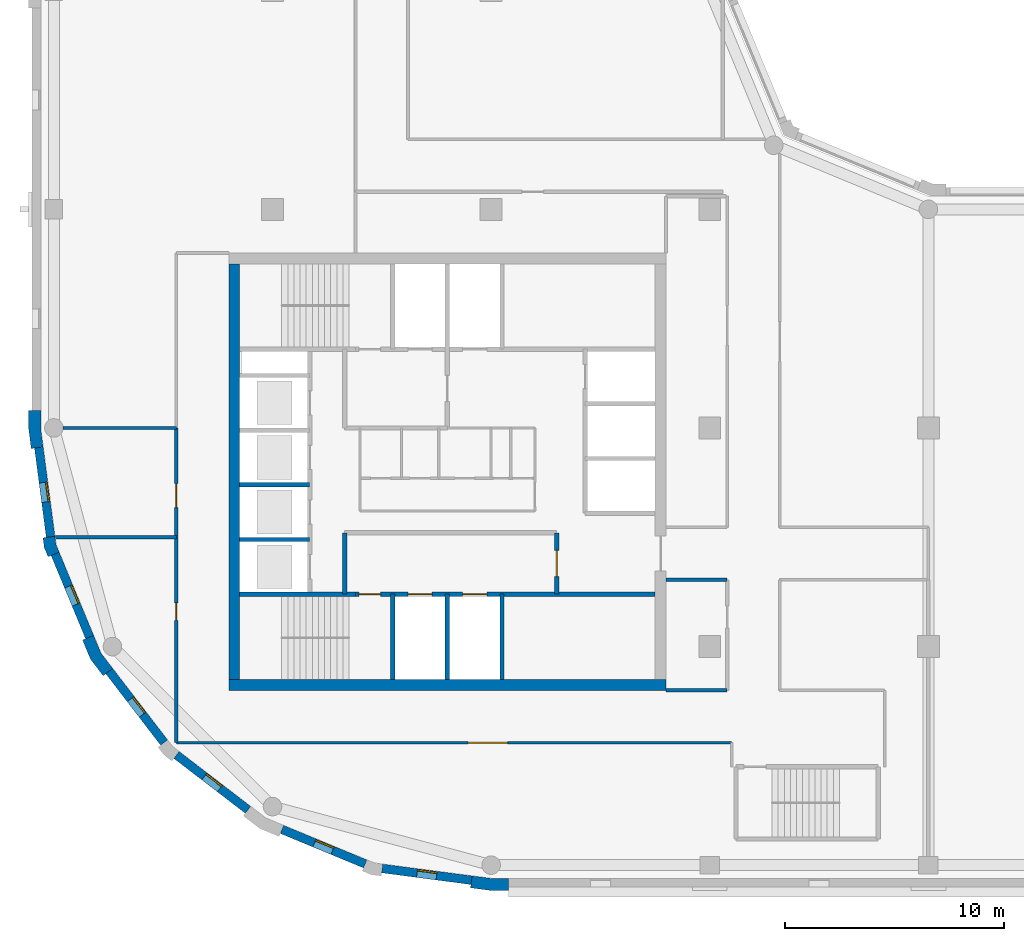
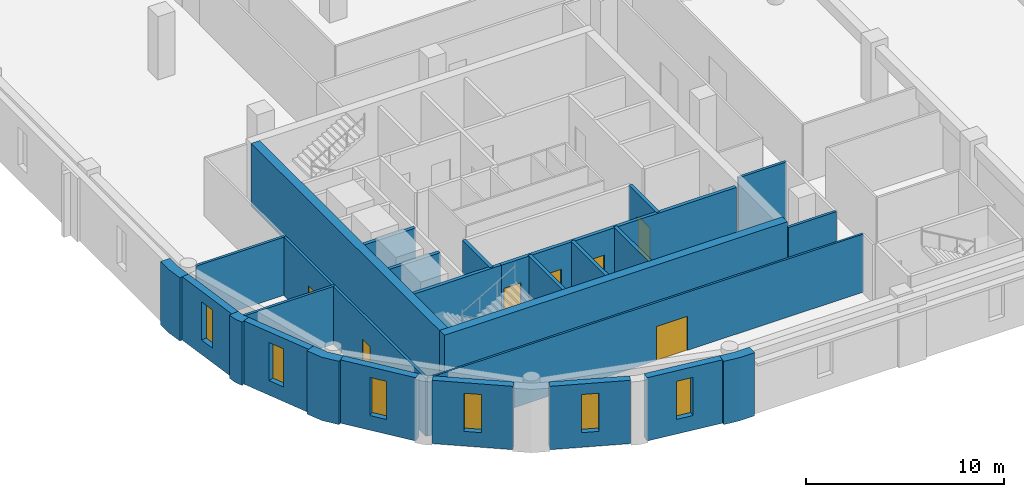
# One storey, part 2 of 8: 27 walls, 7 doors, 6 windows, 13 openings.
"""IFC4 building model written with IfcOpenShell, lengths in metres."""

from ifc_helpers import new_model, si_unit, direction, frame, frame_2d, origin, place, context, subcontext, project, spatial, polyline, rectangle, outline, extrude, material, layer, layer_set, type_object, element, fill, save


model = new_model("IFC4")

# Units and contexts
model_context = context("Model", 3, precision=1e-05, world=origin(), true_north=direction((0.0, 1.0)))
body_context = subcontext(model_context, "Body", "Model", "MODEL_VIEW")
ifc_project = project(units=[si_unit("LENGTHUNIT", "METRE"), si_unit("AREAUNIT", "SQUARE_METRE"), si_unit("VOLUMEUNIT", "CUBIC_METRE"), si_unit("PLANEANGLEUNIT", "RADIAN"), si_unit("MASSUNIT", "GRAM", prefix="KILO")], contexts=[model_context])

# Site, building, storey
site_placement = place(None, origin())
site = spatial("IfcSite", under=ifc_project, at=site_placement, CompositionType="ELEMENT")
building_placement = place(site_placement, origin())
building = spatial("IfcBuilding", under=site, at=building_placement, Name="Qaws Garden Tower", CompositionType="ELEMENT")
storey_placement = place(building_placement, frame((0.0, 0.0, 274.800048828125)))
storey = spatial("IfcBuildingStorey", under=building, at=storey_placement, Name="L66", CompositionType="ELEMENT", Elevation=274.800048828125)

# Wall, opening, window
ifc_material_1 = material(Name="Buff clay facing brick masonry", Category="masonry")
ifc_layer_1 = layer(ifc_material_1, 0.39990234375)
ifc_layer_set_1 = layer_set([ifc_layer_1], Name="Buff clay facing brick masonry")
wall_type_1 = type_object("IfcWallType", Name="Buff brick infill wall 400", PredefinedType="SOLIDWALL", material=ifc_layer_set_1)
wall_1_placement = place(storey_placement, frame((-0.688720703125, 19.102294921875, 0.0), z_axis=(0.0, 0.0, 1.0), x_axis=(0.130514280502, -0.991446429508, 0.0)))
wall_1 = element("IfcWall", 1, at=wall_1_placement, inside=storey, type_object=wall_type_1, Name="E-L66-infill-23", PredefinedType="SOLIDWALL", context=body_context, shape_type="SweptSolid", body=[
    extrude(rectangle(XDim=4.120849609375, YDim=0.39990234375, at=frame_2d((2.060546875, 0.0))), origin(), (0.0, 0.0, 1.0), 3.89990234375),
])
opening_1_placement = place(wall_1_placement, frame((1.610595703125, 0.0, 0.89990234375)))
opening_1 = element("IfcOpeningElement", 2, at=opening_1_placement, cuts=wall_1, Name="Opening W09", PredefinedType="OPENING", context=body_context, shape_type="SweptSolid", body=[
    extrude(rectangle(XDim=0.89990234375, YDim=2.35009765625, at=frame_2d((0.449951171875, 1.175048828125))), frame((0.0, 0.2099609375, 0.0), z_axis=(0.0, -1.0, 0.0), x_axis=(1.0, 0.0, 0.0)), (0.0, 0.0, 1.0), 0.419921875),
])
ifc_material_2 = material(Name="Aluminium framed window, clear glazing", Category="aluminium")
window_type = type_object("IfcWindowType", Name="Slit window 900 x 2350", PartitioningType="SINGLE_PANEL", PredefinedType="WINDOW", material=ifc_material_2)
window_1_placement = place(opening_1_placement, origin())
window_1 = element("IfcWindow", 3, at=window_1_placement, inside=storey, type_object=window_type, Name="E-L66-window-23-0", OverallHeight=2.35009765625, OverallWidth=0.89990234375, PartitioningType="SINGLE_PANEL", PredefinedType="WINDOW", context=body_context, shape_type="SweptSolid", body=[
    extrude(rectangle(XDim=0.89990234375, YDim=2.35009765625, at=frame_2d((0.449951171875, 1.175048828125))), frame((0.0, 0.159912109375, 0.0), z_axis=(0.0, -1.0, 0.0), x_axis=(1.0, 0.0, 0.0)), (0.0, 0.0, 1.0), 0.06005859375),
])
fill(opening_1, window_1)

wall_2_placement = place(storey_placement, frame((0.05712890625, 14.240234375, 0.0), z_axis=(0.0, 0.0, 1.0), x_axis=(0.382721546029, -0.923863744394, 0.0)))
wall_2 = element("IfcWall", 4, at=wall_2_placement, inside=storey, type_object=wall_type_1, Name="E-L66-infill-24", PredefinedType="SOLIDWALL", context=body_context, shape_type="SweptSolid", body=[
    extrude(rectangle(XDim=4.120849609375, YDim=0.39990234375, at=frame_2d((2.060546875, 0.0))), origin(), (0.0, 0.0, 1.0), 3.89990234375),
])
opening_2_placement = place(wall_2_placement, frame((1.610595703125, 0.0, 0.89990234375)))
opening_2 = element("IfcOpeningElement", 5, at=opening_2_placement, cuts=wall_2, Name="Opening W09", PredefinedType="OPENING", context=body_context, shape_type="SweptSolid", body=[
    extrude(rectangle(XDim=0.89990234375, YDim=2.35009765625, at=frame_2d((0.449951171875, 1.175048828125))), frame((0.0, 0.2099609375, 0.0), z_axis=(0.0, -1.0, 0.0), x_axis=(1.0, 0.0, 0.0)), (0.0, 0.0, 1.0), 0.419921875),
])
window_2_placement = place(opening_2_placement, origin())
window_2 = element("IfcWindow", 6, at=window_2_placement, inside=storey, type_object=window_type, Name="E-L66-window-24-0", OverallHeight=2.35009765625, OverallWidth=0.89990234375, PartitioningType="SINGLE_PANEL", PredefinedType="WINDOW", context=body_context, shape_type="SweptSolid", body=[
    extrude(rectangle(XDim=0.89990234375, YDim=2.35009765625, at=frame_2d((0.449951171875, 1.175048828125))), frame((0.0, 0.159912109375, 0.0), z_axis=(0.0, -1.0, 0.0), x_axis=(1.0, 0.0, 0.0)), (0.0, 0.0, 1.0), 0.06005859375),
])
fill(opening_2, window_2)

wall_3_placement = place(storey_placement, frame((2.53173828125, 8.87841796875, 0.0), z_axis=(0.0, 0.0, 1.0), x_axis=(0.608759824817, -0.793354571229, 0.0)))
wall_3 = element("IfcWall", 7, at=wall_3_placement, inside=storey, type_object=wall_type_1, Name="E-L66-infill-25", PredefinedType="SOLIDWALL", context=body_context, shape_type="SweptSolid", body=[
    extrude(rectangle(XDim=4.12109375, YDim=0.39990234375, at=frame_2d((2.060546875, 0.0))), origin(), (0.0, 0.0, 1.0), 3.89990234375),
])
opening_3_placement = place(wall_3_placement, frame((1.610595703125, 0.0, 0.89990234375)))
opening_3 = element("IfcOpeningElement", 8, at=opening_3_placement, cuts=wall_3, Name="Opening W09", PredefinedType="OPENING", context=body_context, shape_type="SweptSolid", body=[
    extrude(rectangle(XDim=0.89990234375, YDim=2.35009765625, at=frame_2d((0.449951171875, 1.175048828125))), frame((0.0, 0.2099609375, 0.0), z_axis=(0.0, -1.0, 0.0), x_axis=(1.0, 0.0, 0.0)), (0.0, 0.0, 1.0), 0.419921875),
])
window_3_placement = place(opening_3_placement, origin())
window_3 = element("IfcWindow", 9, at=window_3_placement, inside=storey, type_object=window_type, Name="E-L66-window-25-0", OverallHeight=2.35009765625, OverallWidth=0.89990234375, PartitioningType="SINGLE_PANEL", PredefinedType="WINDOW", context=body_context, shape_type="SweptSolid", body=[
    extrude(rectangle(XDim=0.89990234375, YDim=2.35009765625, at=frame_2d((0.449951171875, 1.175048828125))), frame((0.0, 0.159912109375, 0.0), z_axis=(0.0, -1.0, 0.0), x_axis=(1.0, 0.0, 0.0)), (0.0, 0.0, 1.0), 0.06005859375),
])
fill(opening_3, window_3)

wall_4_placement = place(storey_placement, frame((5.60888671875, 5.04052734375, 0.0), z_axis=(0.0, 0.0, 1.0), x_axis=(0.793354571229, -0.608759824817, 0.0)))
wall_4 = element("IfcWall", 10, at=wall_4_placement, inside=storey, type_object=wall_type_1, Name="E-L66-infill-26", PredefinedType="SOLIDWALL", context=body_context, shape_type="SweptSolid", body=[
    extrude(rectangle(XDim=4.12109375, YDim=0.39990234375, at=frame_2d((2.060546875, 0.0))), origin(), (0.0, 0.0, 1.0), 3.89990234375),
])
opening_4_placement = place(wall_4_placement, frame((1.610595703125, 0.0, 0.89990234375)))
opening_4 = element("IfcOpeningElement", 11, at=opening_4_placement, cuts=wall_4, Name="Opening W09", PredefinedType="OPENING", context=body_context, shape_type="SweptSolid", body=[
    extrude(rectangle(XDim=0.89990234375, YDim=2.35009765625, at=frame_2d((0.449951171875, 1.175048828125))), frame((0.0, 0.2099609375, 0.0), z_axis=(0.0, -1.0, 0.0), x_axis=(1.0, 0.0, 0.0)), (0.0, 0.0, 1.0), 0.419921875),
])
window_4_placement = place(opening_4_placement, origin())
window_4 = element("IfcWindow", 12, at=window_4_placement, inside=storey, type_object=window_type, Name="E-L66-window-26-0", OverallHeight=2.35009765625, OverallWidth=0.89990234375, PartitioningType="SINGLE_PANEL", PredefinedType="WINDOW", context=body_context, shape_type="SweptSolid", body=[
    extrude(rectangle(XDim=0.89990234375, YDim=2.35009765625, at=frame_2d((0.449951171875, 1.175048828125))), frame((0.0, 0.159912109375, 0.0), z_axis=(0.0, -1.0, 0.0), x_axis=(1.0, 0.0, 0.0)), (0.0, 0.0, 1.0), 0.06005859375),
])
fill(opening_4, window_4)

wall_5_placement = place(storey_placement, frame((10.43310546875, 1.63427734375, 0.0), z_axis=(0.0, 0.0, 1.0), x_axis=(0.923863744394, -0.382721546029, 0.0)))
wall_5 = element("IfcWall", 13, at=wall_5_placement, inside=storey, type_object=wall_type_1, Name="E-L66-infill-27", PredefinedType="SOLIDWALL", context=body_context, shape_type="SweptSolid", body=[
    extrude(rectangle(XDim=4.120849609375, YDim=0.39990234375, at=frame_2d((2.060546875, 0.0))), origin(), (0.0, 0.0, 1.0), 3.89990234375),
])
opening_5_placement = place(wall_5_placement, frame((1.610595703125, 0.0, 0.89990234375)))
opening_5 = element("IfcOpeningElement", 14, at=opening_5_placement, cuts=wall_5, Name="Opening W09", PredefinedType="OPENING", context=body_context, shape_type="SweptSolid", body=[
    extrude(rectangle(XDim=0.89990234375, YDim=2.35009765625, at=frame_2d((0.449951171875, 1.175048828125))), frame((0.0, 0.2099609375, 0.0), z_axis=(0.0, -1.0, 0.0), x_axis=(1.0, 0.0, 0.0)), (0.0, 0.0, 1.0), 0.419921875),
])
window_5_placement = place(opening_5_placement, origin())
window_5 = element("IfcWindow", 15, at=window_5_placement, inside=storey, type_object=window_type, Name="E-L66-window-27-0", OverallHeight=2.35009765625, OverallWidth=0.89990234375, PartitioningType="SINGLE_PANEL", PredefinedType="WINDOW", context=body_context, shape_type="SweptSolid", body=[
    extrude(rectangle(XDim=0.89990234375, YDim=2.35009765625, at=frame_2d((0.449951171875, 1.175048828125))), frame((0.0, 0.159912109375, 0.0), z_axis=(0.0, -1.0, 0.0), x_axis=(1.0, 0.0, 0.0)), (0.0, 0.0, 1.0), 0.06005859375),
])
fill(opening_5, window_5)

wall_6_placement = place(storey_placement, frame((15.0166015625, -0.15087890625, 0.0), z_axis=(0.0, 0.0, 1.0), x_axis=(0.991446429508, -0.130514280502, 0.0)))
wall_6 = element("IfcWall", 16, at=wall_6_placement, inside=storey, type_object=wall_type_1, Name="E-L66-infill-28", PredefinedType="SOLIDWALL", context=body_context, shape_type="SweptSolid", body=[
    extrude(rectangle(XDim=4.120849609375, YDim=0.39990234375, at=frame_2d((2.060546875, 0.0))), origin(), (0.0, 0.0, 1.0), 3.89990234375),
])
opening_6_placement = place(wall_6_placement, frame((1.610595703125, 0.0, 0.89990234375)))
opening_6 = element("IfcOpeningElement", 17, at=opening_6_placement, cuts=wall_6, Name="Opening W09", PredefinedType="OPENING", context=body_context, shape_type="SweptSolid", body=[
    extrude(rectangle(XDim=0.89990234375, YDim=2.35009765625, at=frame_2d((0.449951171875, 1.175048828125))), frame((0.0, 0.2099609375, 0.0), z_axis=(0.0, -1.0, 0.0), x_axis=(1.0, 0.0, 0.0)), (0.0, 0.0, 1.0), 0.419921875),
])
window_6_placement = place(opening_6_placement, origin())
window_6 = element("IfcWindow", 18, at=window_6_placement, inside=storey, type_object=window_type, Name="E-L66-window-28-0", OverallHeight=2.35009765625, OverallWidth=0.89990234375, PartitioningType="SINGLE_PANEL", PredefinedType="WINDOW", context=body_context, shape_type="SweptSolid", body=[
    extrude(rectangle(XDim=0.89990234375, YDim=2.35009765625, at=frame_2d((0.449951171875, 1.175048828125))), frame((0.0, 0.159912109375, 0.0), z_axis=(0.0, -1.0, 0.0), x_axis=(1.0, 0.0, 0.0)), (0.0, 0.0, 1.0), 0.06005859375),
])
fill(opening_6, window_6)

# Walls
ifc_material_3 = material(Name="Buff clay facing brick masonry", Category="masonry")
ifc_layer_2 = layer(ifc_material_3, 0.550048828125)
ifc_layer_set_2 = layer_set([ifc_layer_2], Name="Buff clay facing brick masonry")
wall_type_2 = type_object("IfcWallType", Name="Buff brick kink pier 550 x 600", PredefinedType="SOLIDWALL", material=ifc_layer_set_2)
placement = place(storey_placement, origin())
element("IfcWall", 19, at=placement, inside=storey, type_object=wall_type_2, Name="E-L66-pier-24", PredefinedType="SOLIDWALL", context=body_context, shape_type="SweptSolid", body=[
    extrude(outline(polyline([(-0.34912109375, 14.990478515625), (-0.497802734375, 14.970947265625), (-0.43896484375, 14.5234375), (-0.26611328125, 14.1064453125), (-0.127685546875, 14.163818359375), (0.241943359375, 14.31689453125), (0.096923828125, 14.6669921875), (0.04736328125, 15.042724609375), (-0.34912109375, 14.990478515625)])), origin(), (0.0, 0.0, 1.0), 3.89990234375),
])
ifc_material_4 = material(Name="Buff clay facing brick masonry", Category="masonry")
ifc_layer_3 = layer(ifc_material_4, 0.550048828125)
ifc_layer_set_3 = layer_set([ifc_layer_3], Name="Buff clay facing brick masonry")
wall_type_3 = type_object("IfcWallType", Name="Buff brick pier 550 x 1600", PredefinedType="SOLIDWALL", material=ifc_layer_set_3)
element("IfcWall", 20, at=placement, inside=storey, type_object=wall_type_3, Name="E-L66-pier-00", PredefinedType="SOLIDWALL", context=body_context, shape_type="SweptSolid", body=[
    extrude(outline(polyline([(19.076416015625, -0.886962890625), (19.056640625, -1.03564453125), (19.924560546875, -1.14990234375), (20.800048828125, -1.14990234375), (20.800048828125, -1.0), (20.800048828125, -0.60009765625), (19.960693359375, -0.60009765625), (19.12841796875, -0.490478515625), (19.076416015625, -0.886962890625)])), origin(), (0.0, 0.0, 1.0), 3.89990234375),
])
element("IfcWall", 21, at=placement, inside=storey, type_object=wall_type_3, Name="E-L66-pier-23", PredefinedType="SOLIDWALL", context=body_context, shape_type="SweptSolid", body=[
    extrude(outline(polyline([(-1.0, 20.800048828125), (-1.14990234375, 20.800048828125), (-1.14990234375, 19.924560546875), (-1.03564453125, 19.056640625), (-0.886962890625, 19.076416015625), (-0.490478515625, 19.12841796875), (-0.60009765625, 19.960693359375), (-0.60009765625, 20.800048828125), (-1.0, 20.800048828125)])), origin(), (0.0, 0.0, 1.0), 3.89990234375),
])
element("IfcWall", 22, at=placement, inside=storey, type_object=wall_type_3, Name="E-L66-pier-25", PredefinedType="SOLIDWALL", context=body_context, shape_type="SweptSolid", body=[
    extrude(outline(polyline([(1.449462890625, 10.3564453125), (1.310791015625, 10.299072265625), (1.675048828125, 9.419921875), (2.254150390625, 8.665283203125), (2.373046875, 8.756591796875), (2.6904296875, 9.0), (2.1552734375, 9.697509765625), (1.819091796875, 10.509521484375), (1.449462890625, 10.3564453125)])), origin(), (0.0, 0.0, 1.0), 3.89990234375),
])
ifc_material_5 = material(Name="Concrete C60", Category="concrete")
ifc_layer_4 = layer(ifc_material_5, 0.199951171875)
ifc_layer_set_4 = layer_set([ifc_layer_4], Name="Concrete C60")
wall_type_4 = type_object("IfcWallType", Name="Core shaft wall 200 C60", PredefinedType="SHEAR", material=ifc_layer_set_4)
wall_11_placement = place(storey_placement, frame((8.5, 12.39990234375, 0.0), z_axis=(0.0, 0.0, 1.0), x_axis=(1.0, 0.0, 0.0)))
element("IfcWall", 23, at=wall_11_placement, inside=storey, type_object=wall_type_4, Name="Shaft wall", PredefinedType="SHEAR", context=body_context, shape_type="SweptSolid", body=[
    extrude(rectangle(XDim=5.300048828125, YDim=0.199951171875, at=frame_2d((2.64990234375, 0.0))), origin(), (0.0, 0.0, 1.0), 3.579833984375),
])

# Wall, openings, doors
wall_12_placement = place(storey_placement, frame((13.800048828125, 12.39990234375, 0.0), z_axis=(0.0, 0.0, 1.0), x_axis=(1.0, 0.0, 0.0)))
wall_12 = element("IfcWall", 24, at=wall_12_placement, inside=storey, type_object=wall_type_4, Name="Shaft wall", PredefinedType="SHEAR", context=body_context, shape_type="SweptSolid", body=[
    extrude(rectangle(XDim=13.699951171875, YDim=0.199951171875, at=frame_2d((6.85009765625, 0.0))), origin(), (0.0, 0.0, 1.0), 3.579833984375),
])
opening_7_placement = place(wall_12_placement, frame((2.39990234375, 0.0, 0.0)))
opening_7 = element("IfcOpeningElement", 25, at=opening_7_placement, cuts=wall_12, Name="Opening LD06", PredefinedType="OPENING", context=body_context, shape_type="SweptSolid", body=[
    extrude(rectangle(XDim=1.10009765625, YDim=2.10009765625, at=frame_2d((0.550048828125, 1.050048828125))), frame((0.0, 0.10986328125, 0.0), z_axis=(0.0, -1.0, 0.0), x_axis=(1.0, 0.0, 0.0)), (0.0, 0.0, 1.0), 0.219970703125),
])
opening_8_placement = place(wall_12_placement, frame((4.89990234375, 0.0, 0.0)))
opening_8 = element("IfcOpeningElement", 26, at=opening_8_placement, cuts=wall_12, Name="Opening LD07", PredefinedType="OPENING", context=body_context, shape_type="SweptSolid", body=[
    extrude(rectangle(XDim=1.10009765625, YDim=2.10009765625, at=frame_2d((0.550048828125, 1.050048828125))), frame((0.0, 0.10986328125, 0.0), z_axis=(0.0, -1.0, 0.0), x_axis=(1.0, 0.0, 0.0)), (0.0, 0.0, 1.0), 0.219970703125),
])
opening_9_placement = place(wall_12_placement, frame((0.14990234375, 0.0, 0.0)))
opening_9 = element("IfcOpeningElement", 27, at=opening_9_placement, cuts=wall_12, Name="Opening SD10", PredefinedType="OPENING", context=body_context, shape_type="SweptSolid", body=[
    extrude(rectangle(XDim=1.0, YDim=2.10009765625, at=frame_2d((0.5, 1.050048828125))), frame((0.0, 0.10986328125, 0.0), z_axis=(0.0, -1.0, 0.0), x_axis=(1.0, 0.0, 0.0)), (0.0, 0.0, 1.0), 0.219970703125),
])
ifc_material_6 = material(Name="Steel S235", Category="steel")
door_type_1 = type_object("IfcDoorType", Name="Landing door 1100x2100", OperationType="DOUBLE_DOOR_SLIDING", PredefinedType="DOOR", material=ifc_material_6)
door_1_placement = place(opening_7_placement, origin())
door_1 = element("IfcDoor", 28, at=door_1_placement, inside=storey, type_object=door_type_1, Name="Lift FF1 landing door", OperationType="DOUBLE_DOOR_SLIDING", OverallHeight=2.10009765625, OverallWidth=1.10009765625, PredefinedType="DOOR", context=body_context, shape_type="SweptSolid", body=[
    extrude(rectangle(XDim=1.10009765625, YDim=2.10009765625, at=frame_2d((0.550048828125, 1.050048828125))), frame((0.0, 0.02490234375, 0.0), z_axis=(0.0, -1.0, 0.0), x_axis=(1.0, 0.0, 0.0)), (0.0, 0.0, 1.0), 0.050048828125),
])
fill(opening_7, door_1)
door_2_placement = place(opening_8_placement, origin())
door_2 = element("IfcDoor", 29, at=door_2_placement, inside=storey, type_object=door_type_1, Name="Lift FF2 landing door", OperationType="DOUBLE_DOOR_SLIDING", OverallHeight=2.10009765625, OverallWidth=1.10009765625, PredefinedType="DOOR", context=body_context, shape_type="SweptSolid", body=[
    extrude(rectangle(XDim=1.10009765625, YDim=2.10009765625, at=frame_2d((0.550048828125, 1.050048828125))), frame((0.0, 0.02490234375, 0.0), z_axis=(0.0, -1.0, 0.0), x_axis=(1.0, 0.0, 0.0)), (0.0, 0.0, 1.0), 0.050048828125),
])
fill(opening_8, door_2)
ifc_material_7 = material(Name="Steel S235", Category="steel")
door_type_2 = type_object("IfcDoorType", Name="Stair door 1000x2100", OperationType="SINGLE_SWING_RIGHT", PredefinedType="DOOR", material=ifc_material_7)
door_3_placement = place(opening_9_placement, frame((1.0, 0.0, 0.0), z_axis=(0.0, 0.0, 1.0), x_axis=(-1.0, 0.0, 0.0)))
door_3 = element("IfcDoor", 30, at=door_3_placement, inside=storey, type_object=door_type_2, Name="Stair 1 door", OperationType="SINGLE_SWING_LEFT", OverallHeight=2.10009765625, OverallWidth=1.0, PredefinedType="DOOR", context=body_context, shape_type="SweptSolid", body=[
    extrude(rectangle(XDim=1.0, YDim=2.10009765625, at=frame_2d((0.5, 1.050048828125))), frame((0.0, 0.02490234375, 0.0), z_axis=(0.0, -1.0, 0.0), x_axis=(1.0, 0.0, 0.0)), (0.0, 0.0, 1.0), 0.050048828125),
])
fill(opening_9, door_3)

# Walls
for number, where, z_axis, x_axis, name in (
    (31, (8.5, 14.89990234375, 0.0), (0.0, 0.0, 1.0), (1.0, 0.0, 0.0), "Shaft wall"),
    (32, (8.5, 17.39990234375, 0.0), (0.0, 0.0, 1.0), (1.0, 0.0, 0.0), "Shaft wall"),
):
    element("IfcWall", number, at=place(storey_placement, frame(where, z_axis=z_axis, x_axis=x_axis)), inside=storey, type_object=wall_type_4, Name=name, PredefinedType="SHEAR", context=body_context, shape_type="SweptSolid", body=[
        extrude(rectangle(XDim=3.199951171875, YDim=0.199951171875, at=frame_2d((1.60009765625, 0.0))), origin(), (0.0, 0.0, 1.0), 3.579833984375),
    ])
wall_13_placement = place(storey_placement, frame((13.300048828125, 12.39990234375, 0.0), z_axis=(0.0, 0.0, 1.0), x_axis=(0.0, 1.0, 0.0)))
element("IfcWall", 33, at=wall_13_placement, inside=storey, type_object=wall_type_4, Name="Shaft wall", PredefinedType="SHEAR", context=body_context, shape_type="SweptSolid", body=[
    extrude(rectangle(XDim=2.800048828125, YDim=0.199951171875, at=frame_2d((1.39990234375, 0.0))), origin(), (0.0, 0.0, 1.0), 3.579833984375),
])
for number, where, z_axis, x_axis, name in (
    (34, (15.5, 8.5, 0.0), (0.0, 0.0, 1.0), (0.0, 1.0, 0.0), "Shaft wall"),
    (35, (18.0, 8.5, 0.0), (0.0, 0.0, 1.0), (0.0, 1.0, 0.0), "Shaft wall"),
    (36, (20.5, 8.5, 0.0), (0.0, 0.0, 1.0), (0.0, 1.0, 0.0), "Shaft wall"),
):
    element("IfcWall", number, at=place(storey_placement, frame(where, z_axis=z_axis, x_axis=x_axis)), inside=storey, type_object=wall_type_4, Name=name, PredefinedType="SHEAR", context=body_context, shape_type="SweptSolid", body=[
        extrude(rectangle(XDim=3.89990234375, YDim=0.199951171875, at=frame_2d((1.949951171875, 0.0))), origin(), (0.0, 0.0, 1.0), 3.579833984375),
    ])

# Wall, opening, door
wall_14_placement = place(storey_placement, frame((23.0, 12.39990234375, 0.0), z_axis=(0.0, 0.0, 1.0), x_axis=(0.0, 1.0, 0.0)))
wall_14 = element("IfcWall", 37, at=wall_14_placement, inside=storey, type_object=wall_type_4, Name="Shaft wall", PredefinedType="SHEAR", context=body_context, shape_type="SweptSolid", body=[
    extrude(rectangle(XDim=2.800048828125, YDim=0.199951171875, at=frame_2d((1.39990234375, 0.0))), origin(), (0.0, 0.0, 1.0), 3.579833984375),
])
opening_10_placement = place(wall_14_placement, frame((0.800048828125, 0.0, 0.0)))
opening_10 = element("IfcOpeningElement", 38, at=opening_10_placement, cuts=wall_14, Name="Opening FD15", PredefinedType="OPENING", context=body_context, shape_type="SweptSolid", body=[
    extrude(rectangle(XDim=1.199951171875, YDim=2.10009765625, at=frame_2d((0.60009765625, 1.050048828125))), frame((0.0, 0.10986328125, 0.0), z_axis=(0.0, -1.0, 0.0), x_axis=(1.0, 0.0, 0.0)), (0.0, 0.0, 1.0), 0.219970703125),
])
ifc_material_8 = material(Name="Steel S235", Category="steel")
door_type_3 = type_object("IfcDoorType", Name="Lobby door 1200x2100", OperationType="DOUBLE_DOOR_SINGLE_SWING", PredefinedType="DOOR", material=ifc_material_8)
door_4_placement = place(opening_10_placement, origin())
door_4 = element("IfcDoor", 39, at=door_4_placement, inside=storey, type_object=door_type_3, Name="Fire-fighting lobby door", OperationType="DOUBLE_DOOR_SINGLE_SWING", OverallHeight=2.10009765625, OverallWidth=1.199951171875, PredefinedType="DOOR", context=body_context, shape_type="SweptSolid", body=[
    extrude(rectangle(XDim=1.199951171875, YDim=2.10009765625, at=frame_2d((0.60009765625, 1.050048828125))), frame((0.0, 0.02490234375, 0.0), z_axis=(0.0, -1.0, 0.0), x_axis=(1.0, 0.0, 0.0)), (0.0, 0.0, 1.0), 0.050048828125),
])
fill(opening_10, door_4)

# Walls
ifc_material_9 = material(Name="Concrete C60", Category="concrete")
ifc_layer_5 = layer(ifc_material_9, 0.5)
ifc_layer_set_5 = layer_set([ifc_layer_5], Name="Concrete C60")
wall_type_5 = type_object("IfcWallType", Name="Core wall 500 C60", PredefinedType="SHEAR", material=ifc_layer_set_5)
wall_15_placement = place(storey_placement, frame((8.0, 8.25, 0.0), z_axis=(0.0, 0.0, 1.0), x_axis=(1.0, 0.0, 0.0)))
element("IfcWall", 40, at=wall_15_placement, inside=storey, type_object=wall_type_5, Name="Core wall L66 south", PredefinedType="SHEAR", context=body_context, shape_type="SweptSolid", body=[
    extrude(rectangle(XDim=20.0, YDim=0.5, at=frame_2d((10.0, 0.0))), origin(), (0.0, 0.0, 1.0), 3.89990234375),
])
wall_16_placement = place(storey_placement, frame((8.25, 27.5, 0.0), z_axis=(0.0, 0.0, 1.0), x_axis=(0.0, -1.0, 0.0)))
element("IfcWall", 41, at=wall_16_placement, inside=storey, type_object=wall_type_5, Name="Core wall L66 west", PredefinedType="SHEAR", context=body_context, shape_type="SweptSolid", body=[
    extrude(rectangle(XDim=19.0, YDim=0.5, at=frame_2d((9.5, 0.0))), origin(), (0.0, 0.0, 1.0), 3.89990234375),
])

# Wall, opening, door
ifc_material_10 = material(Name="Glass and aluminium framing", Category="aluminium")
ifc_layer_6 = layer(ifc_material_10, 0.1201171875)
ifc_layer_set_6 = layer_set([ifc_layer_6], Name="Glass and aluminium framing")
wall_type_6 = type_object("IfcWallType", Name="GLAZED PARTITION 120 EI 30", PredefinedType="PARTITIONING", material=ifc_layer_set_6)
wall_17_placement = place(storey_placement, frame((5.60009765625, 5.60009765625, 0.0), z_axis=(0.0, 0.0, 1.0), x_axis=(1.0, 0.0, 0.0)))
wall_17 = element("IfcWall", 42, at=wall_17_placement, inside=storey, type_object=wall_type_6, Name="O-L66-wall-031", PredefinedType="PARTITIONING", context=body_context, shape_type="SweptSolid", body=[
    extrude(rectangle(XDim=25.39990234375, YDim=0.1201171875, at=frame_2d((12.699951171875, 0.0))), origin(), (0.0, 0.0, 1.0), 3.579833984375),
])
opening_11_placement = place(wall_17_placement, frame((13.35009765625, 0.0, 0.0)))
opening_11 = element("IfcOpeningElement", 43, at=opening_11_placement, cuts=wall_17, Name="Opening C304", PredefinedType="OPENING", context=body_context, shape_type="SweptSolid", body=[
    extrude(rectangle(XDim=1.800048828125, YDim=2.10009765625, at=frame_2d((0.89990234375, 1.050048828125))), frame((0.0, 0.070068359375, 0.0), z_axis=(0.0, -1.0, 0.0), x_axis=(1.0, 0.0, 0.0)), (0.0, 0.0, 1.0), 0.14013671875),
])
ifc_material_11 = material(Name="Timber door leaf", Category="wood")
door_type_4 = type_object("IfcDoorType", Name="DOUBLE DOOR 1800 X 2100", OperationType="DOUBLE_DOOR_SINGLE_SWING", PredefinedType="DOOR", material=ifc_material_11)
door_5_placement = place(opening_11_placement, frame((1.800048828125, 0.0, 0.0), z_axis=(0.0, 0.0, 1.0), x_axis=(-1.0, 0.0, 0.0)))
door_5 = element("IfcDoor", 44, at=door_5_placement, inside=storey, type_object=door_type_4, Name="O-L66-door-004", OperationType="DOUBLE_DOOR_SINGLE_SWING", OverallHeight=2.10009765625, OverallWidth=1.800048828125, PredefinedType="DOOR", context=body_context, shape_type="SweptSolid", body=[
    extrude(rectangle(XDim=1.800048828125, YDim=2.10009765625, at=frame_2d((0.89990234375, 1.050048828125))), frame((0.0, 0.02490234375, 0.0), z_axis=(0.0, -1.0, 0.0), x_axis=(1.0, 0.0, 0.0)), (0.0, 0.0, 1.0), 0.050048828125),
])
fill(opening_11, door_5)

# Wall, openings, doors
ifc_material_12 = material(Name="Gypsum board partition")
ifc_layer_7 = layer(ifc_material_12, 0.14990234375)
ifc_layer_set_7 = layer_set([ifc_layer_7], Name="Gypsum board partition")
wall_type_7 = type_object("IfcWallType", Name="PARTITION 150 EI 60", PredefinedType="PARTITIONING", material=ifc_layer_set_7)
wall_18_placement = place(storey_placement, frame((5.60009765625, 5.60009765625, 0.0), z_axis=(0.0, 0.0, 1.0), x_axis=(0.0, 1.0, 0.0)))
wall_18 = element("IfcWall", 45, at=wall_18_placement, inside=storey, type_object=wall_type_7, Name="O-L66-wall-001", PredefinedType="PARTITIONING", context=body_context, shape_type="SweptSolid", body=[
    extrude(rectangle(XDim=14.39990234375, YDim=0.14990234375, at=frame_2d((7.199951171875, 0.0))), origin(), (0.0, 0.0, 1.0), 3.579833984375),
])
opening_12_placement = place(wall_18_placement, frame((5.60009765625, 0.0, 0.0)))
opening_12 = element("IfcOpeningElement", 46, at=opening_12_placement, cuts=wall_18, Name="Opening C301", PredefinedType="OPENING", context=body_context, shape_type="SweptSolid", body=[
    extrude(rectangle(XDim=0.800048828125, YDim=2.10009765625, at=frame_2d((0.39990234375, 1.050048828125))), frame((0.0, 0.0849609375, 0.0), z_axis=(0.0, -1.0, 0.0), x_axis=(1.0, 0.0, 0.0)), (0.0, 0.0, 1.0), 0.169921875),
])
opening_13_placement = place(wall_18_placement, frame((10.75, 0.0, 0.0)))
opening_13 = element("IfcOpeningElement", 47, at=opening_13_placement, cuts=wall_18, Name="Opening C302", PredefinedType="OPENING", context=body_context, shape_type="SweptSolid", body=[
    extrude(rectangle(XDim=1.10009765625, YDim=2.10009765625, at=frame_2d((0.550048828125, 1.050048828125))), frame((0.0, 0.0849609375, 0.0), z_axis=(0.0, -1.0, 0.0), x_axis=(1.0, 0.0, 0.0)), (0.0, 0.0, 1.0), 0.169921875),
])
ifc_material_13 = material(Name="Timber door leaf", Category="wood")
door_type_5 = type_object("IfcDoorType", Name="SERVICE ROOM DOOR 1100 X 2100", OperationType="SINGLE_SWING_LEFT", PredefinedType="DOOR", material=ifc_material_13)
door_6_placement = place(opening_13_placement, origin())
door_6 = element("IfcDoor", 48, at=door_6_placement, inside=storey, type_object=door_type_5, Name="O-L66-door-002", OperationType="SINGLE_SWING_LEFT", OverallHeight=2.10009765625, OverallWidth=1.10009765625, PredefinedType="DOOR", context=body_context, shape_type="SweptSolid", body=[
    extrude(rectangle(XDim=1.10009765625, YDim=2.10009765625, at=frame_2d((0.550048828125, 1.050048828125))), frame((0.0, 0.02490234375, 0.0), z_axis=(0.0, -1.0, 0.0), x_axis=(1.0, 0.0, 0.0)), (0.0, 0.0, 1.0), 0.050048828125),
])
fill(opening_13, door_6)
ifc_material_14 = material(Name="Timber door leaf", Category="wood")
door_type_6 = type_object("IfcDoorType", Name="STORE DOOR 800 X 2100", OperationType="SINGLE_SWING_LEFT", PredefinedType="DOOR", material=ifc_material_14)
door_7_placement = place(opening_12_placement, origin())
door_7 = element("IfcDoor", 49, at=door_7_placement, inside=storey, type_object=door_type_6, Name="O-L66-door-001", OperationType="SINGLE_SWING_RIGHT", OverallHeight=2.10009765625, OverallWidth=0.800048828125, PredefinedType="DOOR", context=body_context, shape_type="SweptSolid", body=[
    extrude(rectangle(XDim=0.800048828125, YDim=2.10009765625, at=frame_2d((0.39990234375, 1.050048828125))), frame((0.0, 0.02490234375, 0.0), z_axis=(0.0, -1.0, 0.0), x_axis=(1.0, 0.0, 0.0)), (0.0, 0.0, 1.0), 0.050048828125),
])
fill(opening_12, door_7)

# Walls
for number, where, z_axis, x_axis, name in (
    (50, (28.0, 8.0, 0.0), (0.0, 0.0, 1.0), (1.0, 0.0, 0.0), "O-L66-wall-009"),
    (51, (28.0, 13.050048828125, 0.0), (0.0, 0.0, 1.0), (1.0, 0.0, 0.0), "O-L66-wall-010"),
):
    element("IfcWall", number, at=place(storey_placement, frame(where, z_axis=z_axis, x_axis=x_axis)), inside=storey, type_object=wall_type_7, Name=name, PredefinedType="PARTITIONING", context=body_context, shape_type="SweptSolid", body=[
        extrude(rectangle(XDim=2.800048828125, YDim=0.14990234375, at=frame_2d((1.39990234375, 0.0))), origin(), (0.0, 0.0, 1.0), 3.579833984375),
    ])
wall_19_placement = place(storey_placement, frame((0.06298828125, 15.0, 0.0), z_axis=(0.0, 0.0, 1.0), x_axis=(1.0, 0.0, 0.0)))
element("IfcWall", 52, at=wall_19_placement, inside=storey, type_object=wall_type_7, Name="O-L66-wall-011", PredefinedType="PARTITIONING", context=body_context, shape_type="SweptSolid", body=[
    extrude(rectangle(XDim=5.537109375, YDim=0.14990234375, at=frame_2d((2.7685546875, 0.0))), origin(), (0.0, 0.0, 1.0), 3.579833984375),
])
wall_20_placement = place(storey_placement, frame((0.425048828125, 20.0, 0.0), z_axis=(0.0, 0.0, 1.0), x_axis=(1.0, 0.0, 0.0)))
element("IfcWall", 53, at=wall_20_placement, inside=storey, type_object=wall_type_7, Name="O-L66-wall-012", PredefinedType="PARTITIONING", context=body_context, shape_type="SweptSolid", body=[
    extrude(rectangle(XDim=5.175048828125, YDim=0.14990234375, at=frame_2d((2.58740234375, 0.0))), origin(), (0.0, 0.0, 1.0), 3.579833984375),
])

save(model, "model.ifc")
